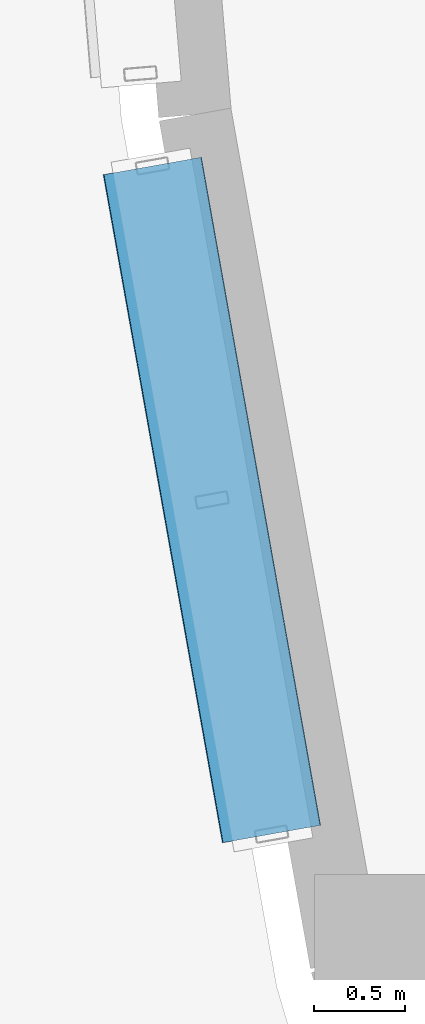
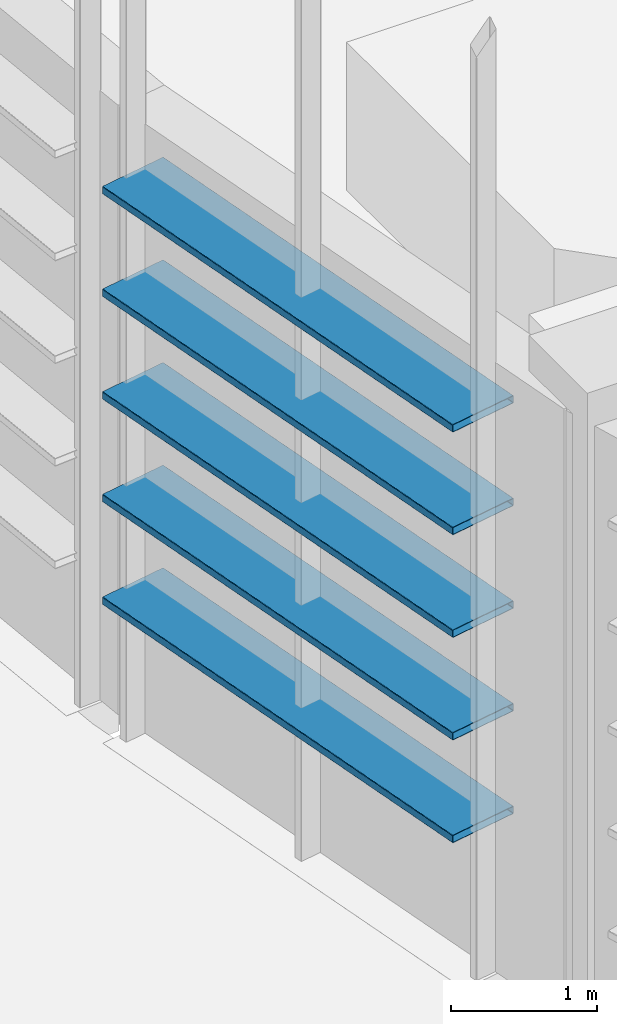
# One storey, part 81 of 372: 5 members.
"""IFC4 building model written with IfcOpenShell, lengths in metres."""

from ifc_helpers import new_model, si_unit, direction, frame, origin, origin_2d, place, context, subcontext, project, spatial, hollow_rectangle, extrude, material, material_profile, profile_set, type_object, element, save


model = new_model("IFC4")

# Units and contexts
model_context = context("Model", 3, precision=1e-05, world=origin(), true_north=direction((0.0, 1.0)))
body_context = subcontext(model_context, "Body", "Model", "MODEL_VIEW")
ifc_project = project(units=[si_unit("LENGTHUNIT", "METRE"), si_unit("AREAUNIT", "SQUARE_METRE"), si_unit("VOLUMEUNIT", "CUBIC_METRE"), si_unit("PLANEANGLEUNIT", "RADIAN"), si_unit("MASSUNIT", "GRAM", prefix="KILO")], contexts=[model_context])

# Site, building, storey
site_placement = place(None, origin())
site = spatial("IfcSite", under=ifc_project, at=site_placement, CompositionType="ELEMENT")
building_placement = place(site_placement, origin())
building = spatial("IfcBuilding", under=site, at=building_placement, Name="Kaelora Sail Theatre", CompositionType="ELEMENT")
storey_placement = place(building_placement, origin())
storey = spatial("IfcBuildingStorey", under=building, at=storey_placement, Name="L00", CompositionType="ELEMENT", Elevation=0.0)

# Members
ifc_material = material(Name="Anodised aluminium 6063-T6", Category="aluminium")
ifc_material_profile = material_profile(ifc_material, hollow_rectangle(XDim=0.550048828125, YDim=0.06494140625, WallThickness=0.00390625, InnerFilletRadius=0.00390625, OuterFilletRadius=0.008056640625, at=origin_2d()), Name="LOUVRE 550x65x4")
ifc_profile_set = profile_set([ifc_material_profile], Name="Anodised aluminium 6063-T6")
member_type = type_object("IfcMemberType", Name="ARC-MEM-LVR-300", PredefinedType="USERDEFINED", material=ifc_profile_set)
for number, where, z_axis, x_axis, name in (
    (1, (26.32421875, 41.61279296875, 1.25), (-0.175566335005, 0.984467603333, 0.0), (-0.984467603333, -0.175566335005, 0.0), "Main Theatre Sail Drum horizontal solar louvre C19-01"),
    (2, (26.32421875, 41.61279296875, 2.110107421875), (-0.175566335005, 0.984467603333, 0.0), (-0.984467603333, -0.175566335005, 0.0), "Main Theatre Sail Drum horizontal solar louvre C19-02"),
    (3, (26.32421875, 41.61279296875, 2.969970703125), (-0.175566335005, 0.984467603333, 0.0), (-0.984467603333, -0.175566335005, 0.0), "Main Theatre Sail Drum horizontal solar louvre C19-03"),
    (4, (26.32421875, 41.61279296875, 3.830078125), (-0.175566335005, 0.984467603333, 0.0), (-0.984467603333, -0.175566335005, 0.0), "Main Theatre Sail Drum horizontal solar louvre C19-04"),
    (5, (26.32421875, 41.61279296875, 4.68994140625), (-0.175566335005, 0.984467603333, 0.0), (-0.984467603333, -0.175566335005, 0.0), "Main Theatre Sail Drum horizontal solar louvre C19-05"),
):
    element("IfcMember", number, at=place(storey_placement, frame(where, z_axis=z_axis, x_axis=x_axis)), inside=storey, type_object=member_type, Name=name, ObjectType="LOUVRE", PredefinedType="USERDEFINED", context=body_context, shape_type="SweptSolid", body=[
        extrude(hollow_rectangle(XDim=0.550048828125, YDim=0.06494140625, WallThickness=0.00390625, InnerFilletRadius=0.00390625, OuterFilletRadius=0.008056640625, at=origin_2d()), origin(), (0.0, 0.0, 1.0), 3.7294921875),
    ])

save(model, "model.ifc")
